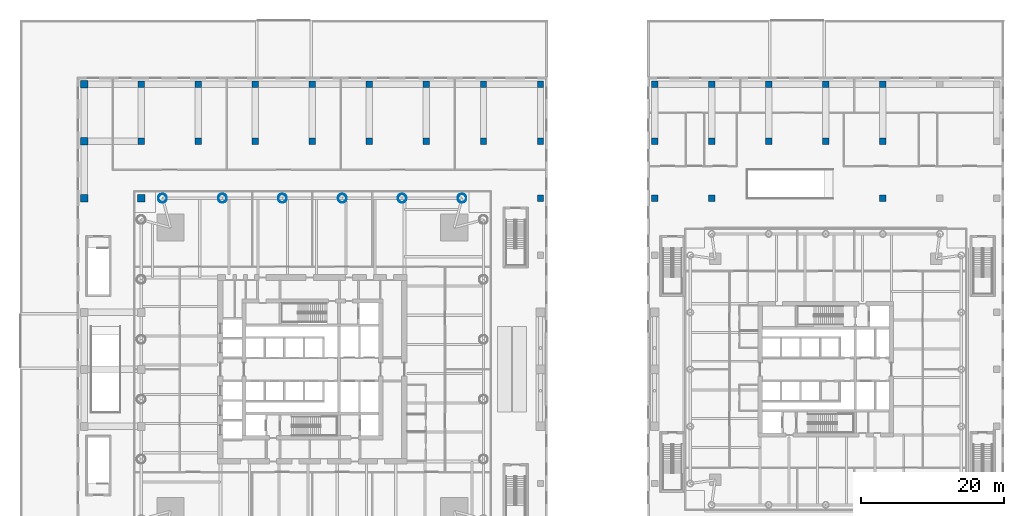
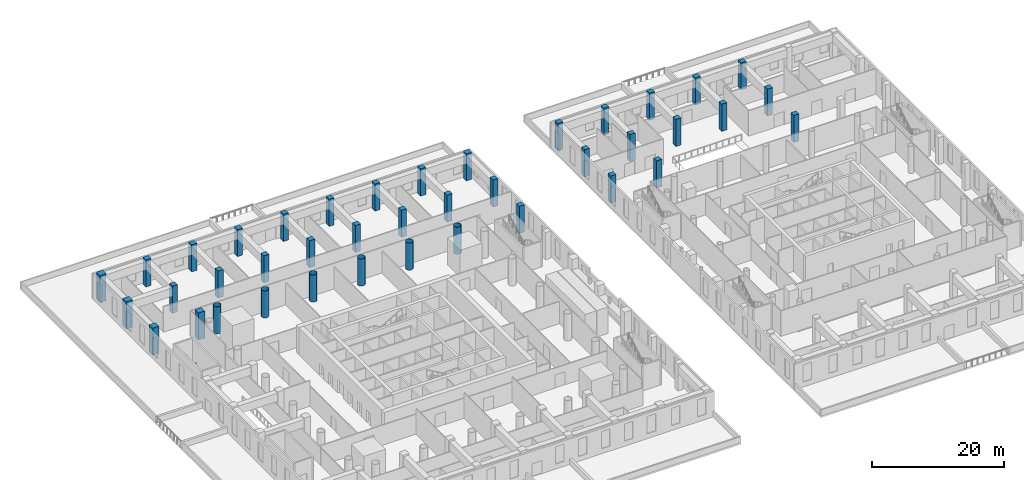
# One storey, part 3 of 26: 40 columns.
"""IFC4 building model written with IfcOpenShell, lengths in metres."""

from ifc_helpers import new_model, si_unit, direction, frame, origin, origin_2d, place, context, subcontext, project, spatial, rectangle, hollow_circle, extrude, material, material_profile, profile_set, type_object, element, save


model = new_model("IFC4")

# Units and contexts
model_context = context("Model", 3, precision=1e-05, world=origin(), true_north=direction((0.0, 1.0)))
body_context = subcontext(model_context, "Body", "Model", "MODEL_VIEW")
ifc_project = project(units=[si_unit("LENGTHUNIT", "METRE"), si_unit("AREAUNIT", "SQUARE_METRE"), si_unit("VOLUMEUNIT", "CUBIC_METRE"), si_unit("PLANEANGLEUNIT", "RADIAN"), si_unit("MASSUNIT", "GRAM", prefix="KILO")], contexts=[model_context])

# Site, building, storey
site_placement = place(None, origin())
site = spatial("IfcSite", under=ifc_project, at=site_placement, CompositionType="ELEMENT")
building_placement = place(site_placement, origin())
building = spatial("IfcBuilding", under=site, at=building_placement, Name="Ostroluk Exchange", CompositionType="ELEMENT")
storey_placement = place(building_placement, frame((0.0, 0.0, 6.0)))
storey = spatial("IfcBuildingStorey", under=building, at=storey_placement, Name="L01", CompositionType="ELEMENT", Elevation=6.0)

# Columns
ifc_material_1 = material(Name="Steel S460", Category="steel")
ifc_material_profile_1 = material_profile(ifc_material_1, hollow_circle(Radius=0.609619140625, WallThickness=0.0400390625, at=origin_2d()), Name="CHS 1219x40")
ifc_profile_set_1 = profile_set([ifc_material_profile_1], Name="Steel S460")
column_type_1 = type_object("IfcColumnType", Name="Perimeter column CHS 1219x40", PredefinedType="COLUMN", material=ifc_profile_set_1)
for number, where, z_axis, x_axis, name in (
    (1, (66.0, 70.0, 0.0), (0.0, 0.0, 1.0), (1.0, 0.0, 0.0), "T1 north face column E0"),
    (2, (24.0, 70.0, 0.0), (0.0, 0.0, 1.0), (1.0, 0.0, 0.0), "T1 north face column E1"),
    (3, (57.60009765625, 70.0, 0.0), (0.0, 0.0, 1.0), (1.0, 0.0, 0.0), "T1 north face column I1"),
    (4, (49.199951171875, 70.0, 0.0), (0.0, 0.0, 1.0), (1.0, 0.0, 0.0), "T1 north face column I2"),
    (5, (40.800048828125, 70.0, 0.0), (0.0, 0.0, 1.0), (1.0, 0.0, 0.0), "T1 north face column I3"),
    (6, (32.39990234375, 70.0, 0.0), (0.0, 0.0, 1.0), (1.0, 0.0, 0.0), "T1 north face column I4"),
):
    element("IfcColumn", number, at=place(storey_placement, frame(where, z_axis=z_axis, x_axis=x_axis)), inside=storey, type_object=column_type_1, Name=name, PredefinedType="COLUMN", context=body_context, shape_type="SweptSolid", body=[
        extrude(hollow_circle(Radius=0.609619140625, WallThickness=0.0400390625, at=origin_2d()), origin(), (0.0, 0.0, 1.0), 5.0),
    ])
ifc_material_2 = material(Name="Concrete C50/60", Category="concrete")
ifc_material_profile_2 = material_profile(ifc_material_2, rectangle(XDim=1.10009765625, YDim=1.10009765625, at=origin_2d()), Name="RC 1100x1100")
ifc_profile_set_2 = profile_set([ifc_material_profile_2], Name="Concrete C50/60")
column_type_2 = type_object("IfcColumnType", Name="Podium column RC 1100x1100", PredefinedType="COLUMN", material=ifc_profile_set_2)
for number, where, z_axis, x_axis, name in (
    (7, (13.0, 70.0, 0.0), (0.0, 0.0, 1.0), (1.0, 0.0, 0.0), "Podium column 13/70"),
    (8, (13.0, 78.0, 0.0), (0.0, 0.0, 1.0), (1.0, 0.0, 0.0), "Podium column 13/78"),
    (9, (13.0, 86.0, 0.0), (0.0, 0.0, 1.0), (1.0, 0.0, 0.0), "Podium column 13/86"),
    (10, (21.0, 70.0, 0.0), (0.0, 0.0, 1.0), (1.0, 0.0, 0.0), "Podium column 21/70"),
):
    element("IfcColumn", number, at=place(storey_placement, frame(where, z_axis=z_axis, x_axis=x_axis)), inside=storey, type_object=column_type_2, Name=name, PredefinedType="COLUMN", context=body_context, shape_type="SweptSolid", body=[
        extrude(rectangle(XDim=1.10009765625, YDim=1.10009765625, at=origin_2d()), origin(), (0.0, 0.0, 1.0), 5.0),
    ])
ifc_material_3 = material(Name="Concrete C50/60", Category="concrete")
ifc_material_profile_3 = material_profile(ifc_material_3, rectangle(XDim=0.89990234375, YDim=0.89990234375, at=origin_2d()), Name="RC 900x900")
ifc_profile_set_3 = profile_set([ifc_material_profile_3], Name="Concrete C50/60")
column_type_3 = type_object("IfcColumnType", Name="Podium column RC 900x900", PredefinedType="COLUMN", material=ifc_profile_set_3)
for number, where, z_axis, x_axis, name in (
    (11, (21.0, 78.0, 0.0), (0.0, 0.0, 1.0), (1.0, 0.0, 0.0), "Podium column 21/78"),
    (12, (21.0, 86.0, 0.0), (0.0, 0.0, 1.0), (1.0, 0.0, 0.0), "Podium column 21/86"),
    (13, (29.0, 78.0, 0.0), (0.0, 0.0, 1.0), (1.0, 0.0, 0.0), "Podium column 29/78"),
    (14, (29.0, 86.0, 0.0), (0.0, 0.0, 1.0), (1.0, 0.0, 0.0), "Podium column 29/86"),
    (15, (37.0, 78.0, 0.0), (0.0, 0.0, 1.0), (1.0, 0.0, 0.0), "Podium column 37/78"),
    (16, (37.0, 86.0, 0.0), (0.0, 0.0, 1.0), (1.0, 0.0, 0.0), "Podium column 37/86"),
    (17, (45.0, 78.0, 0.0), (0.0, 0.0, 1.0), (1.0, 0.0, 0.0), "Podium column 45/78"),
    (18, (45.0, 86.0, 0.0), (0.0, 0.0, 1.0), (1.0, 0.0, 0.0), "Podium column 45/86"),
    (19, (53.0, 78.0, 0.0), (0.0, 0.0, 1.0), (1.0, 0.0, 0.0), "Podium column 53/78"),
    (20, (53.0, 86.0, 0.0), (0.0, 0.0, 1.0), (1.0, 0.0, 0.0), "Podium column 53/86"),
    (21, (61.0, 78.0, 0.0), (0.0, 0.0, 1.0), (1.0, 0.0, 0.0), "Podium column 61/78"),
    (22, (61.0, 86.0, 0.0), (0.0, 0.0, 1.0), (1.0, 0.0, 0.0), "Podium column 61/86"),
    (23, (69.0, 78.0, 0.0), (0.0, 0.0, 1.0), (1.0, 0.0, 0.0), "Podium column 69/78"),
    (24, (69.0, 86.0, 0.0), (0.0, 0.0, 1.0), (1.0, 0.0, 0.0), "Podium column 69/86"),
    (25, (77.0, 70.0, 0.0), (0.0, 0.0, 1.0), (1.0, 0.0, 0.0), "Podium column 77/70"),
    (26, (77.0, 78.0, 0.0), (0.0, 0.0, 1.0), (1.0, 0.0, 0.0), "Podium column 77/78"),
    (27, (77.0, 86.0, 0.0), (0.0, 0.0, 1.0), (1.0, 0.0, 0.0), "Podium column 77/86"),
    (28, (93.0, 70.0, 0.0), (0.0, 0.0, 1.0), (1.0, 0.0, 0.0), "Podium column 93/70"),
    (29, (93.0, 78.0, 0.0), (0.0, 0.0, 1.0), (1.0, 0.0, 0.0), "Podium column 93/78"),
    (30, (93.0, 86.0, 0.0), (0.0, 0.0, 1.0), (1.0, 0.0, 0.0), "Podium column 93/86"),
    (31, (101.0, 70.0, 0.0), (0.0, 0.0, 1.0), (1.0, 0.0, 0.0), "Podium column 101/70"),
    (32, (101.0, 78.0, 0.0), (0.0, 0.0, 1.0), (1.0, 0.0, 0.0), "Podium column 101/78"),
    (33, (101.0, 86.0, 0.0), (0.0, 0.0, 1.0), (1.0, 0.0, 0.0), "Podium column 101/86"),
    (34, (109.0, 78.0, 0.0), (0.0, 0.0, 1.0), (1.0, 0.0, 0.0), "Podium column 109/78"),
    (35, (109.0, 86.0, 0.0), (0.0, 0.0, 1.0), (1.0, 0.0, 0.0), "Podium column 109/86"),
    (36, (117.0, 78.0, 0.0), (0.0, 0.0, 1.0), (1.0, 0.0, 0.0), "Podium column 117/78"),
    (37, (117.0, 86.0, 0.0), (0.0, 0.0, 1.0), (1.0, 0.0, 0.0), "Podium column 117/86"),
    (38, (125.0, 70.0, 0.0), (0.0, 0.0, 1.0), (1.0, 0.0, 0.0), "Podium column 125/70"),
    (39, (125.0, 78.0, 0.0), (0.0, 0.0, 1.0), (1.0, 0.0, 0.0), "Podium column 125/78"),
    (40, (125.0, 86.0, 0.0), (0.0, 0.0, 1.0), (1.0, 0.0, 0.0), "Podium column 125/86"),
):
    element("IfcColumn", number, at=place(storey_placement, frame(where, z_axis=z_axis, x_axis=x_axis)), inside=storey, type_object=column_type_3, Name=name, PredefinedType="COLUMN", context=body_context, shape_type="SweptSolid", body=[
        extrude(rectangle(XDim=0.89990234375, YDim=0.89990234375, at=origin_2d()), origin(), (0.0, 0.0, 1.0), 5.0),
    ])

save(model, "model.ifc")
